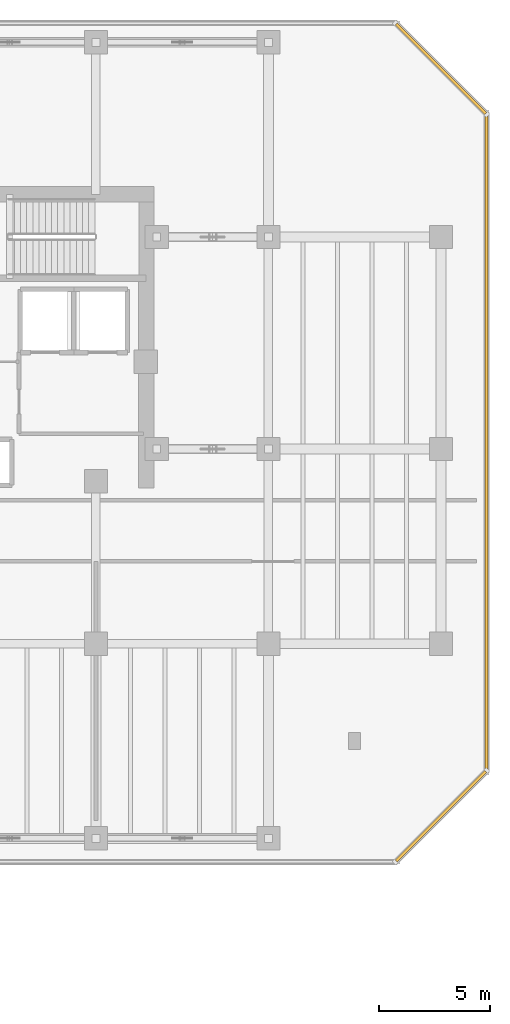
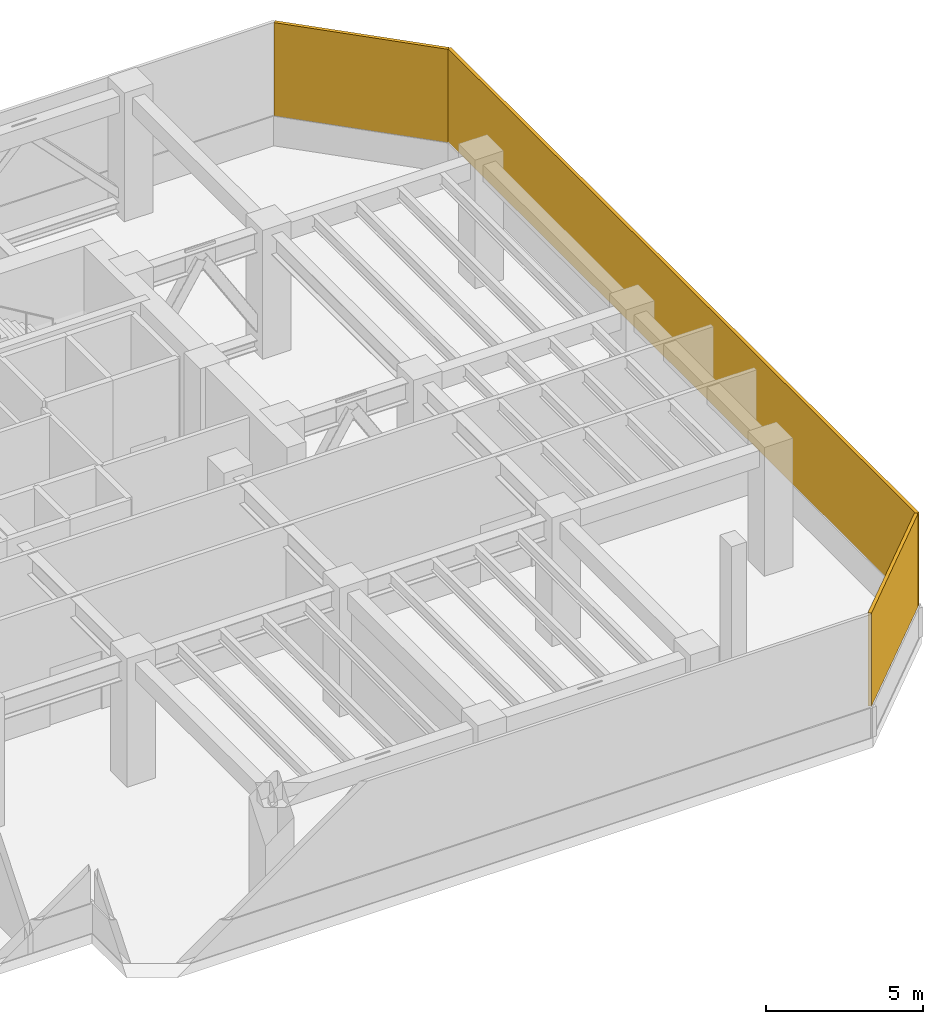
# One storey, part 10 of 10: 3 shading devices.
"""IFC4 building model written with IfcOpenShell, lengths in metres."""

from ifc_helpers import new_model, si_unit, direction, frame, origin, origin_2d, place, context, subcontext, project, spatial, rectangle, extrude, material, layer, layer_set, type_object, element, save


model = new_model("IFC4")

# Units and contexts
model_context = context("Model", 3, precision=1e-05, world=origin(), true_north=direction((0.0, 1.0)))
body_context = subcontext(model_context, "Body", "Model", "MODEL_VIEW")
ifc_project = project(units=[si_unit("LENGTHUNIT", "METRE"), si_unit("AREAUNIT", "SQUARE_METRE"), si_unit("VOLUMEUNIT", "CUBIC_METRE"), si_unit("PLANEANGLEUNIT", "RADIAN"), si_unit("MASSUNIT", "GRAM", prefix="KILO")], contexts=[model_context])

# Site, building, storey
site_placement = place(None, origin())
site = spatial("IfcSite", under=ifc_project, at=site_placement, CompositionType="ELEMENT")
building_placement = place(site_placement, origin())
building = spatial("IfcBuilding", under=site, at=building_placement, Name="Kestravale Grand Hotel", CompositionType="ELEMENT")
storey_placement = place(building_placement, frame((0.0, 0.0, 184.0)))
storey = spatial("IfcBuildingStorey", under=building, at=storey_placement, Name="L46", CompositionType="ELEMENT", Elevation=184.0)

# Shading devices
ifc_material = material(Name="Anodised bronze storm-proof acoustic ventilation louvre", Category="aluminium")
ifc_layer = layer(ifc_material, 0.1201171875)
ifc_layer_set = layer_set([ifc_layer], Name="SHD-LVR-REF")
shading_device_type = type_object("IfcShadingDeviceType", Name="SHD-LVR-REF", PredefinedType="JALOUSIE", material=ifc_layer_set)
shading_device_1_placement = place(storey_placement, frame((70.200927734375, 12.198974609375, 1.1298828125), z_axis=(0.0, 0.0, 1.0), x_axis=(0.707106781187, 0.707106781187, 0.0)))
element("IfcShadingDevice", 1, at=shading_device_1_placement, inside=storey, type_object=shading_device_type, Name="L46 mechanical refuge chevron louvre 8", PredefinedType="JALOUSIE", context=body_context, shape_type="SweptSolid", body=[
    extrude(rectangle(XDim=5.7197265625, YDim=0.1201171875, at=origin_2d()), origin(), (0.0, 0.0, 1.0), 3.6201171875),
])
shading_device_2_placement = place(storey_placement, frame((72.260009765625, 29.10009765625, 1.1298828125), z_axis=(0.0, 0.0, 1.0), x_axis=(0.0, 1.0, 0.0)))
element("IfcShadingDevice", 2, at=shading_device_2_placement, inside=storey, type_object=shading_device_type, Name="L46 mechanical refuge chevron louvre 9", PredefinedType="JALOUSIE", context=body_context, shape_type="SweptSolid", body=[
    extrude(rectangle(XDim=29.780029296875, YDim=0.1201171875, at=origin_2d()), origin(), (0.0, 0.0, 1.0), 3.6201171875),
])
shading_device_3_placement = place(storey_placement, frame((70.200927734375, 46.0009765625, 1.1298828125), z_axis=(0.0, 0.0, 1.0), x_axis=(-0.707106781187, 0.707106781187, 0.0)))
element("IfcShadingDevice", 3, at=shading_device_3_placement, inside=storey, type_object=shading_device_type, Name="L46 mechanical refuge chevron louvre 10", PredefinedType="JALOUSIE", context=body_context, shape_type="SweptSolid", body=[
    extrude(rectangle(XDim=5.7197265625, YDim=0.1201171875, at=origin_2d()), origin(), (0.0, 0.0, 1.0), 3.6201171875),
])

save(model, "model.ifc")
